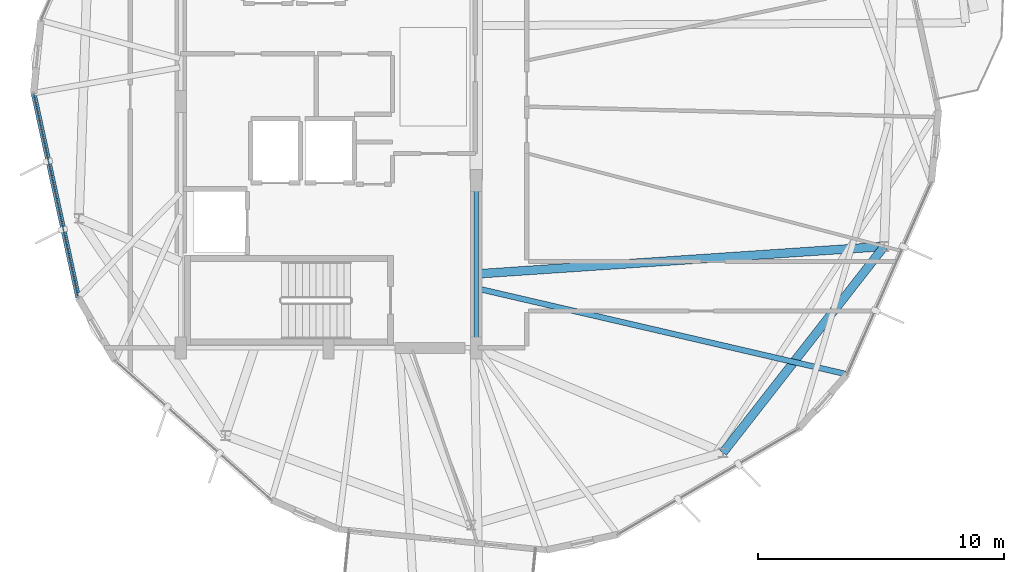
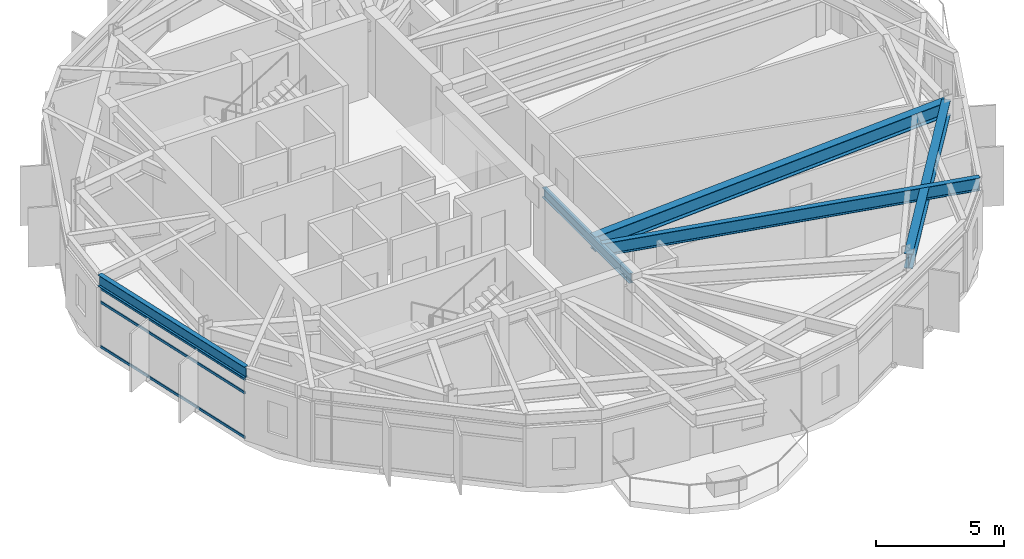
# One storey, part 8 of 25: 5 beams, 3 members, 1 element without a shape of its own.
"""IFC4 building model written with IfcOpenShell, lengths in metres."""

import ifcopenshell
import ifcopenshell.guid

model = None  # the IFC model being written
_history = None  # IfcOwnerHistory: only IFC2X3 demands one
_inside = {}  # id of a spatial element -> (the spatial element, [elements in it])
_under = {}  # id of a project, library or spatial element -> (it, [spatial elements below it])
_declared = {}  # id of a project -> (the project, [libraries it declares])
_typed = {}  # id of a type object -> (the type object, [elements of that type])
_made_of = {}  # id of a material, layer set ... -> (it, [elements and type objects made of it])


def new_model(schema):
    """Start an empty IFC model of exactly this schema.

    Asked for "IFC4X3", IfcOpenShell would pick the latest addendum, in which some entities
    have other attributes; the version numbers below select the first issue.
    IFC2X3 requires an IfcOwnerHistory on every rooted entity: one is made here for all.
    """
    global model, _history
    if schema == "IFC4X3":
        model = ifcopenshell.file(schema_version=(4, 3, 0, 0))
    else:
        model = ifcopenshell.file(schema=schema)
    _inside.clear()
    _under.clear()
    _declared.clear()
    _typed.clear()
    _made_of.clear()
    _history = None
    if model.schema == "IFC2X3":
        org = make("IfcOrganization", Name="unknown")
        user = make(
            "IfcPersonAndOrganization",
            ThePerson=make("IfcPerson", FamilyName="unknown"),
            TheOrganization=org,
        )
        app = make(
            "IfcApplication",
            ApplicationDeveloper=org,
            Version="unknown",
            ApplicationFullName="unknown",
            ApplicationIdentifier="unknown",
        )
        _history = make(
            "IfcOwnerHistory",
            OwningUser=user,
            OwningApplication=app,
            ChangeAction="ADDED",
            CreationDate=0,
        )
    return model


def make(cls, **values):
    """One entity of the class cls with the attributes given. An attribute that is None is left unset."""
    return model.create_entity(
        cls, **{name: value for name, value in values.items() if value is not None}
    )


def rooted(cls, **values):
    """An entity with a GlobalId (a new one), such as an element, a storey or a relation."""
    return make(cls, GlobalId=ifcopenshell.guid.new(), OwnerHistory=_history, **values)


def si_unit(unit_type, name, prefix=None):
    """IfcSIUnit, for example si_unit("LENGTHUNIT", "METRE", prefix="MILLI")."""
    return make("IfcSIUnit", UnitType=unit_type, Prefix=prefix, Name=name)


def assignment(units):
    """IfcUnitAssignment: the units of a project."""
    return None if units is None else make("IfcUnitAssignment", Units=units)


def point(xyz):
    """IfcCartesianPoint."""
    return None if xyz is None else make("IfcCartesianPoint", Coordinates=xyz)


def direction(xyz):
    """IfcDirection."""
    return None if xyz is None else make("IfcDirection", DirectionRatios=xyz)


def frame(location, z_axis=None, x_axis=None):
    """IfcAxis2Placement3D, a coordinate frame: its origin and axes. An axis left out is left unset."""
    return make(
        "IfcAxis2Placement3D",
        Location=point(location),
        Axis=direction(z_axis),
        RefDirection=direction(x_axis),
    )


def frame_2d(location, x_axis=None):
    """IfcAxis2Placement2D, a coordinate frame in the plane: its origin and x axis."""
    return make(
        "IfcAxis2Placement2D", Location=point(location), RefDirection=direction(x_axis)
    )


def origin():
    """The frame at (0, 0, 0) with its axes left unset."""
    return frame((0.0, 0.0, 0.0))


def origin_2d():
    """The frame at (0, 0) in the plane with its x axis left unset."""
    return frame_2d((0.0, 0.0))


def place(relative_to, where):
    """IfcLocalPlacement: puts the frame where relative to a parent placement (None: the world)."""
    return make(
        "IfcLocalPlacement", PlacementRelTo=relative_to, RelativePlacement=where
    )


def context(
    kind, dimensions, precision=None, world=None, true_north=None, identifier=None
):
    """IfcGeometricRepresentationContext, for example the 3D "Model" context."""
    return make(
        "IfcGeometricRepresentationContext",
        ContextIdentifier=identifier,
        ContextType=kind,
        CoordinateSpaceDimension=dimensions,
        Precision=precision,
        WorldCoordinateSystem=world,
        TrueNorth=true_north,
    )


def subcontext(parent, identifier, kind, view, scale=None):
    """IfcGeometricRepresentationSubContext, for example "Body" below "Model"."""
    return make(
        "IfcGeometricRepresentationSubContext",
        ContextIdentifier=identifier,
        ContextType=kind,
        ParentContext=parent,
        TargetScale=scale,
        TargetView=view,
    )


def project(units=None, contexts=None):
    """IfcProject with its units and contexts."""
    return rooted(
        "IfcProject",
        Name="project",
        RepresentationContexts=contexts,
        UnitsInContext=assignment(units),
    )


def spatial(cls, under=None, at=None, **own):
    """A site, building, storey or space (cls), placed at a placement, below another one or the project."""
    s = rooted(cls, ObjectPlacement=at, **own)
    if under is not None:
        _under.setdefault(under.id(), (under, []))[1].append(s)
    return s


def profile(cls, at=None, kind="AREA", **sizes):
    """A parametric profile (cls). Its sizes go by their IFC names, for example OverallWidth=200.0."""
    return make(cls, ProfileType=kind, Position=at, **sizes)


def hollow_rectangle(**sizes):
    """IfcRectangleHollowProfileDef."""
    return profile("IfcRectangleHollowProfileDef", **sizes)


def i_section(**sizes):
    """IfcIShapeProfileDef."""
    return profile("IfcIShapeProfileDef", **sizes)


def extrude(swept, where, along, depth):
    """IfcExtrudedAreaSolid: the profile swept, set in the frame where, extruded along a direction by depth."""
    return make(
        "IfcExtrudedAreaSolid",
        SweptArea=swept,
        Position=where,
        ExtrudedDirection=direction(along),
        Depth=depth,
    )


def shape(context_of_items, identifier, shape_type, items):
    """IfcShapeRepresentation: the items that make up one representation, for example the "Body"."""
    return make(
        "IfcShapeRepresentation",
        ContextOfItems=context_of_items,
        RepresentationIdentifier=identifier,
        RepresentationType=shape_type,
        Items=items,
    )


def material(Name=None, Category=None):
    """IfcMaterial."""
    return make("IfcMaterial", Name=Name, Category=Category)


def layer(
    of_material, thickness, ventilated=None, Name=None, Category=None, Priority=None
):
    """IfcMaterialLayer: one layer of a wall or slab, of a material (None: an air gap)."""
    return make(
        "IfcMaterialLayer",
        Material=of_material,
        LayerThickness=thickness,
        IsVentilated=ventilated,
        Name=Name,
        Category=Category,
        Priority=Priority,
    )


def layer_set(layers, Name=None):
    """IfcMaterialLayerSet."""
    return make("IfcMaterialLayerSet", MaterialLayers=layers, LayerSetName=Name)


def material_profile(
    of_material, cross_section, Name=None, Category=None, Priority=None
):
    """IfcMaterialProfile: a cross section and its material."""
    return make(
        "IfcMaterialProfile",
        Name=Name,
        Material=of_material,
        Profile=cross_section,
        Priority=Priority,
        Category=Category,
    )


def profile_set(profiles, Name=None, composite=None):
    """IfcMaterialProfileSet."""
    return make(
        "IfcMaterialProfileSet",
        Name=Name,
        MaterialProfiles=profiles,
        CompositeProfile=composite,
    )


def made_of(thing, what):
    """Note that an element or type object is made of a material, layer set ...; save() writes the relation."""
    if what is not None:
        _made_of.setdefault(what.id(), (what, []))[1].append(thing)
    return thing


def type_object(cls, material=None, **own):
    """A type object (cls), such as IfcWallType, which elements share."""
    return made_of(rooted(cls, **own), material)


def element(
    cls,
    number,
    at=None,
    inside=None,
    cuts=None,
    type_object=None,
    material=None,
    context=None,
    identifier="Body",
    shape_type=None,
    held_by="IfcProductDefinitionShape",
    body=None,
    shapes=None,
    **own,
):
    """One element of the class cls, such as IfcWall. Its Tag is "e" and its number.

    at: its placement. inside: the storey or other place that contains it. cuts: it is an
    opening in that element (IfcRelVoidsElement). A single representation is given by context,
    identifier, shape_type and body (its items); several are given by shapes. held_by: the class
    of the entity that holds the representations. save() writes the other relations.
    """
    e = rooted(cls, Tag="e%d" % number, ObjectPlacement=at, **own)
    if body is not None:
        shapes = [shape(context, identifier, shape_type, body)]
    if shapes is not None:
        e.Representation = make(held_by, Representations=shapes)
    if inside is not None:
        _inside.setdefault(inside.id(), (inside, []))[1].append(e)
    if cuts is not None:
        rooted(
            "IfcRelVoidsElement", RelatingBuildingElement=cuts, RelatedOpeningElement=e
        )
    if type_object is not None:
        _typed.setdefault(type_object.id(), (type_object, []))[1].append(e)
    return made_of(e, material)


def aggregate(whole, parts):
    """IfcRelAggregates: a whole, such as a stair, and the parts it consists of."""
    return rooted("IfcRelAggregates", RelatingObject=whole, RelatedObjects=parts)


def save(model, path):
    """Write the relations noted so far, then the file.

    IfcRelAggregates (storeys below a building ...), IfcRelContainedInSpatialStructure (elements
    in a storey), IfcRelDefinesByType, IfcRelAssociatesMaterial and IfcRelDeclares: one each for
    every whole, place, type object, material and project.
    """
    for whole, parts in _under.values():
        aggregate(whole, parts)
    for where, things in _inside.values():
        rooted(
            "IfcRelContainedInSpatialStructure",
            RelatedElements=things,
            RelatingStructure=where,
        )
    for kind, things in _typed.values():
        rooted("IfcRelDefinesByType", RelatedObjects=things, RelatingType=kind)
    for what, things in _made_of.values():
        rooted("IfcRelAssociatesMaterial", RelatedObjects=things, RelatingMaterial=what)
    for by, libraries in _declared.values():
        rooted("IfcRelDeclares", RelatingContext=by, RelatedDefinitions=libraries)
    model.write(path)


model = new_model("IFC4")

# Units and contexts
model_context = context("Model", 3, precision=1e-05, world=origin(), true_north=direction((0.0, 1.0)))
body_context = subcontext(model_context, "Body", "Model", "MODEL_VIEW")
ifc_project = project(units=[si_unit("LENGTHUNIT", "METRE"), si_unit("AREAUNIT", "SQUARE_METRE"), si_unit("VOLUMEUNIT", "CUBIC_METRE"), si_unit("PLANEANGLEUNIT", "RADIAN"), si_unit("MASSUNIT", "GRAM", prefix="KILO")], contexts=[model_context])

# Site, building, storey
site_placement = place(None, origin())
site = spatial("IfcSite", under=ifc_project, at=site_placement, CompositionType="ELEMENT")
building_placement = place(site_placement, origin())
building = spatial("IfcBuilding", under=site, at=building_placement, Name="Soratama Intermodal Tower", CompositionType="ELEMENT")
storey_placement = place(building_placement, frame((0.0, 0.0, 276.25)))
storey = spatial("IfcBuildingStorey", under=building, at=storey_placement, Name="L70", CompositionType="ELEMENT", Elevation=276.25)

# Beams
ifc_material_1 = material(Name="Structural steel ASTM A992 Grade 50", Category="steel")
ifc_material_profile_1 = material_profile(ifc_material_1, i_section(OverallWidth=0.19091796875, OverallDepth=0.4599609375, WebThickness=0.010009765625, FlangeThickness=0.01611328125, FilletRadius=0.010986328125, at=origin_2d()), Name="W18X55")
ifc_profile_set_1 = profile_set([ifc_material_profile_1], Name="Structural steel ASTM A992 Grade 50")
beam_type_1 = type_object("IfcBeamType", Name="BM-FLR-W18X55", PredefinedType="BEAM", material=ifc_profile_set_1)
beam_1_placement = place(storey_placement, frame((44.60009765625, 15.0, 3.219970703125), z_axis=(0.0, 1.0, 0.0), x_axis=(-1.0, 0.0, 0.0)))
element("IfcBeam", 1, at=beam_1_placement, inside=storey, type_object=beam_type_1, Name="BM-L70-CRING-03", PredefinedType="BEAM", context=body_context, shape_type="SweptSolid", body=[
    extrude(i_section(OverallWidth=0.19091796875, OverallDepth=0.4599609375, WebThickness=0.010009765625, FlangeThickness=0.01611328125, FilletRadius=0.010986328125, at=origin_2d()), origin(), (0.0, 0.0, 1.0), 6.800048828125),
])
ifc_material_2 = material(Name="Structural steel ASTM A992 Grade 50", Category="steel")
ifc_material_profile_2 = material_profile(ifc_material_2, i_section(OverallWidth=0.35498046875, OverallDepth=0.695068359375, WebThickness=0.015380859375, FlangeThickness=0.02490234375, FilletRadius=0.01611328125, at=origin_2d()), Name="W27X146")
ifc_profile_set_2 = profile_set([ifc_material_profile_2], Name="Structural steel ASTM A992 Grade 50")
beam_type_2 = type_object("IfcBeamType", Name="BM-RING-W27X146", PredefinedType="BEAM", material=ifc_profile_set_2)
beam_2_placement = place(storey_placement, frame((54.617919921875, 10.740966796875, 3.1025390625), z_axis=(0.6157278291, 0.787958907858, 0.0), x_axis=(-0.787958907858, 0.6157278291, 0.0)))
element("IfcBeam", 2, at=beam_2_placement, inside=storey, type_object=beam_type_2, Name="BM-L70-RING-09", PredefinedType="BEAM", context=body_context, shape_type="SweptSolid", body=[
    extrude(i_section(OverallWidth=0.35498046875, OverallDepth=0.695068359375, WebThickness=0.015380859375, FlangeThickness=0.02490234375, FilletRadius=0.01611328125, at=origin_2d()), origin(), (0.0, 0.0, 1.0), 10.6298828125),
])
beam_3_placement = place(storey_placement, frame((44.60009765625, 18.0, 3.1025390625), z_axis=(0.997733912176, 0.067283285401, 0.0), x_axis=(-0.067283285401, 0.997733912176, 0.0)))
element("IfcBeam", 3, at=beam_3_placement, inside=storey, type_object=beam_type_2, Name="BM-L70-RAD-10", PredefinedType="BEAM", context=body_context, shape_type="SweptSolid", body=[
    extrude(i_section(OverallWidth=0.35498046875, OverallDepth=0.695068359375, WebThickness=0.015380859375, FlangeThickness=0.02490234375, FilletRadius=0.01611328125, at=origin_2d()), origin(), (0.0, 0.0, 1.0), 16.6005859375),
])
ifc_material_3 = material(Name="Structural steel ASTM A992 Grade 50", Category="steel")
ifc_material_profile_3 = material_profile(ifc_material_3, i_section(OverallWidth=0.2099609375, OverallDepth=0.537109375, WebThickness=0.010986328125, FlangeThickness=0.017333984375, FilletRadius=0.012939453125, at=origin_2d()), Name="W21X68")
ifc_profile_set_3 = profile_set([ifc_material_profile_3], Name="Structural steel ASTM A992 Grade 50")
beam_type_3 = type_object("IfcBeamType", Name="BM-SPN-W21X68", PredefinedType="SPANDREL", material=ifc_profile_set_3)
beam_4_placement = place(storey_placement, frame((26.625, 25.343017578125, 3.181396484375), z_axis=(0.213084315841, -0.977033814329, 0.0), x_axis=(0.977033814329, 0.213084315841, 0.0)))
element("IfcBeam", 4, at=beam_4_placement, inside=storey, type_object=beam_type_3, Name="BS-L70-F04", PredefinedType="SPANDREL", context=body_context, shape_type="SweptSolid", body=[
    extrude(i_section(OverallWidth=0.2099609375, OverallDepth=0.537109375, WebThickness=0.010986328125, FlangeThickness=0.017333984375, FilletRadius=0.012939453125, at=origin_2d()), origin(), (0.0, 0.0, 1.0), 8.499267578125),
])
ifc_material_4 = material(Name="Structural steel ASTM A992 Grade 50", Category="steel")
ifc_material_profile_4 = material_profile(ifc_material_4, i_section(OverallWidth=0.22900390625, OverallDepth=0.612060546875, WebThickness=0.011962890625, FlangeThickness=0.01953125, FilletRadius=0.012939453125, at=origin_2d()), Name="W24X84")
ifc_profile_set_4 = profile_set([ifc_material_profile_4], Name="Structural steel ASTM A992 Grade 50")
beam_type_4 = type_object("IfcBeamType", Name="BM-TIE-W24X84", PredefinedType="BEAM", material=ifc_profile_set_4)
beam_5_placement = place(storey_placement, frame((44.638916015625, 17.409912109375, 3.14404296875), z_axis=(0.974099877279, -0.226118175045, 0.0), x_axis=(0.226118175045, 0.974099877279, 0.0)))
element("IfcBeam", 5, at=beam_5_placement, inside=storey, type_object=beam_type_4, Name="BM-L70-TIE0-08", PredefinedType="BEAM", context=body_context, shape_type="SweptSolid", body=[
    extrude(i_section(OverallWidth=0.22900390625, OverallDepth=0.612060546875, WebThickness=0.011962890625, FlangeThickness=0.01953125, FilletRadius=0.012939453125, at=origin_2d()), origin(), (0.0, 0.0, 1.0), 15.424560546875),
])

# Curtain wall, members
ifc_material_5 = material(Name="Double-glazed aluminium curtain wall", Category="aluminium")
ifc_layer = layer(ifc_material_5, 0.159912109375)
ifc_layer_set = layer_set([ifc_layer], Name="Double-glazed aluminium curtain wall")
curtain_wall_type = type_object("IfcCurtainWallType", Name="CW-SYS-5", PredefinedType="NOTDEFINED", material=ifc_layer_set)
curtain_wall_placement = place(storey_placement, origin())
curtain_wall = element("IfcCurtainWall", 6, at=curtain_wall_placement, inside=storey, type_object=curtain_wall_type, Name="L70 Faceted Curtain Wall F04", PredefinedType="NOTDEFINED")
ifc_material_6 = material(Name="Anodised aluminium AA 6063-T6", Category="aluminium")
ifc_material_profile_5 = material_profile(ifc_material_6, hollow_rectangle(XDim=0.06005859375, YDim=0.1298828125, WallThickness=0.0048828125, InnerFilletRadius=0.0048828125, OuterFilletRadius=0.010009765625, at=origin_2d()), Name="CWT130X60X5")
ifc_profile_set_5 = profile_set([ifc_material_profile_5], Name="Anodised aluminium AA 6063-T6")
member_type = type_object("IfcMemberType", Name="TT-CWT-2", PredefinedType="USERDEFINED", material=ifc_profile_set_5)
member_1_placement = place(storey_placement, frame((26.637939453125, 25.28466796875, 0.030029296875), z_axis=(0.213035602336, -0.977044437135, 0.0), x_axis=(0.977044437135, 0.213035602336, 0.0)))
member_1 = element("IfcMember", 7, at=member_1_placement, type_object=member_type, Name="CW-5 transom 1.1", ObjectType="TRANSOM", PredefinedType="USERDEFINED", context=body_context, shape_type="SweptSolid", body=[
    extrude(hollow_rectangle(XDim=0.06005859375, YDim=0.1298828125, WallThickness=0.0048828125, InnerFilletRadius=0.0048828125, OuterFilletRadius=0.010009765625, at=origin_2d()), origin(), (0.0, 0.0, 1.0), 8.379638671875),
])
member_2_placement = place(storey_placement, frame((26.637939453125, 25.28466796875, 2.14990234375), z_axis=(0.213035602336, -0.977044437135, 0.0), x_axis=(0.977044437135, 0.213035602336, 0.0)))
member_2 = element("IfcMember", 8, at=member_2_placement, type_object=member_type, Name="CW-5 transom 1.2", ObjectType="TRANSOM", PredefinedType="USERDEFINED", context=body_context, shape_type="SweptSolid", body=[
    extrude(hollow_rectangle(XDim=0.06005859375, YDim=0.1298828125, WallThickness=0.0048828125, InnerFilletRadius=0.0048828125, OuterFilletRadius=0.010009765625, at=origin_2d()), origin(), (0.0, 0.0, 1.0), 8.379638671875),
])
member_3_placement = place(storey_placement, frame((26.637939453125, 25.28466796875, 2.799072265625), z_axis=(0.213035602336, -0.977044437135, 0.0), x_axis=(0.977044437135, 0.213035602336, 0.0)))
member_3 = element("IfcMember", 9, at=member_3_placement, type_object=member_type, Name="CW-5 transom 1.3", ObjectType="TRANSOM", PredefinedType="USERDEFINED", context=body_context, shape_type="SweptSolid", body=[
    extrude(hollow_rectangle(XDim=0.06005859375, YDim=0.1298828125, WallThickness=0.0048828125, InnerFilletRadius=0.0048828125, OuterFilletRadius=0.010009765625, at=origin_2d()), origin(), (0.0, 0.0, 1.0), 8.379638671875),
])
aggregate(curtain_wall, [member_1, member_2, member_3])

save(model, "model.ifc")
